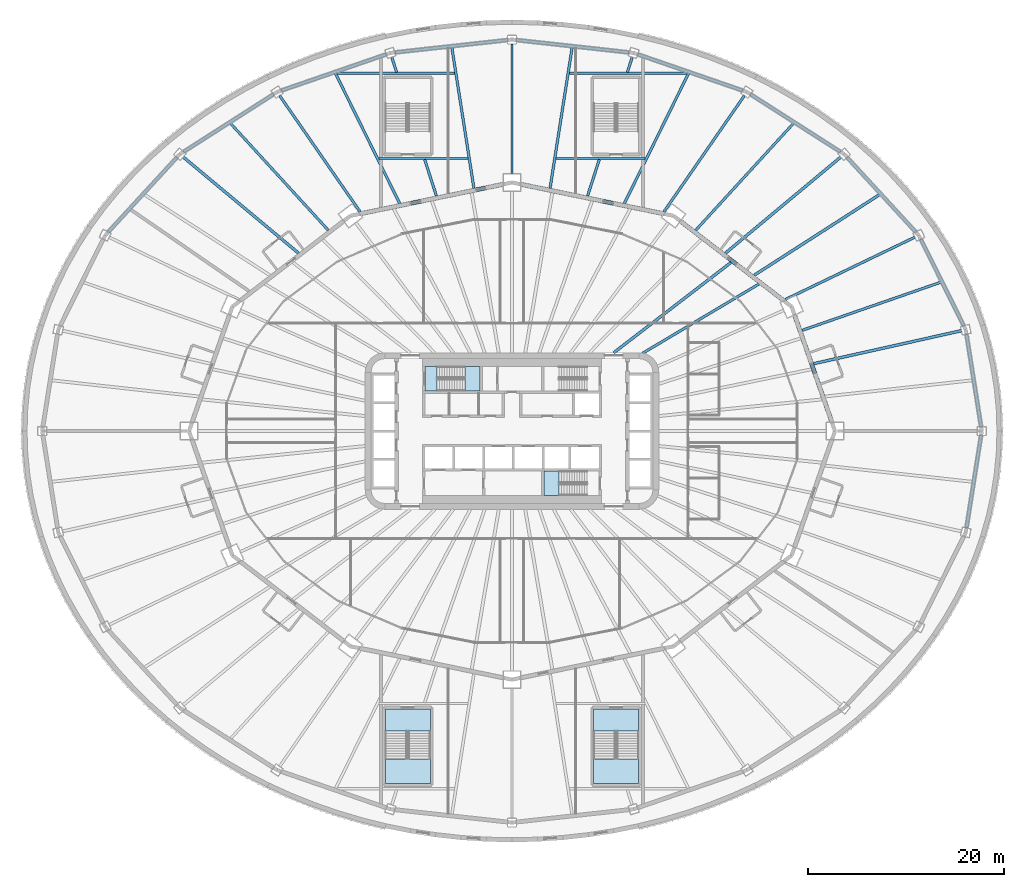
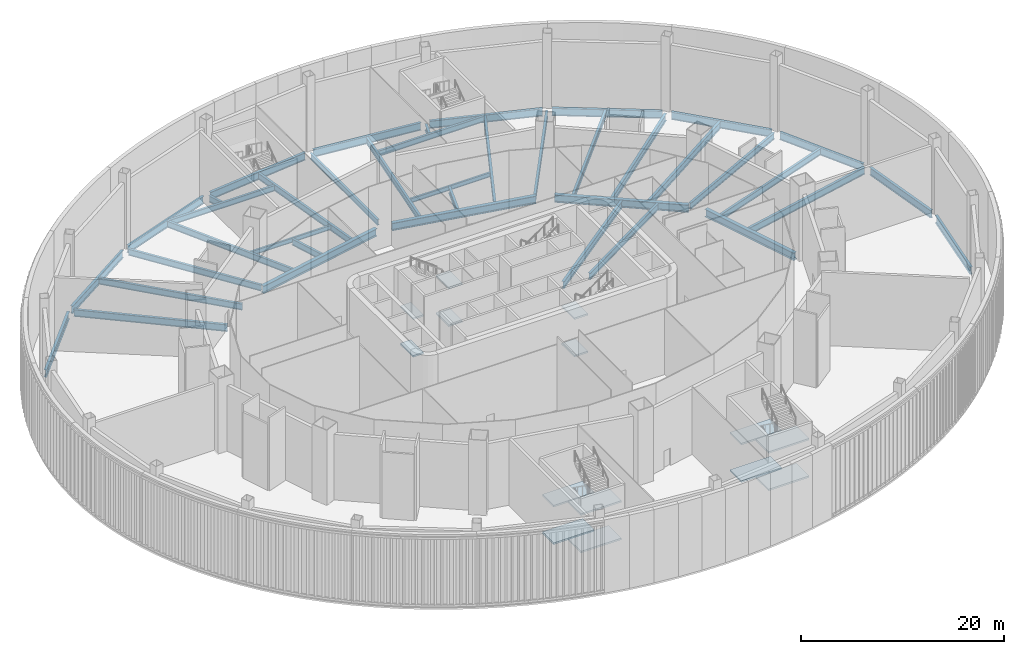
# One storey, part 3 of 35: 40 beams, 14 slabs, 4 elements without a shape of their own.
"""IFC4 building model written with IfcOpenShell, lengths in metres."""

from ifc_helpers import new_model, si_unit, direction, frame, origin, origin_2d, place, context, subcontext, project, spatial, polyline, i_section, outline, extrude, material, layer, layer_set, material_profile, profile_set, type_object, element, aggregate, save


model = new_model("IFC4")

# Units and contexts
model_context = context("Model", 3, precision=1e-05, world=origin(), true_north=direction((0.0, 1.0)))
body_context = subcontext(model_context, "Body", "Model", "MODEL_VIEW")
ifc_project = project(units=[si_unit("LENGTHUNIT", "METRE"), si_unit("AREAUNIT", "SQUARE_METRE"), si_unit("VOLUMEUNIT", "CUBIC_METRE"), si_unit("PLANEANGLEUNIT", "RADIAN"), si_unit("MASSUNIT", "GRAM", prefix="KILO")], contexts=[model_context])

# Site, building, storey
site_placement = place(None, origin())
site = spatial("IfcSite", under=ifc_project, at=site_placement, CompositionType="ELEMENT")
building_placement = place(site_placement, origin())
building = spatial("IfcBuilding", under=site, at=building_placement, Name="Sahrelin Media Tower", CompositionType="ELEMENT")
storey_placement = place(building_placement, frame((0.0, 0.0, 17.0)))
storey = spatial("IfcBuildingStorey", under=building, at=storey_placement, Name="L02", CompositionType="ELEMENT", Elevation=17.0)

# Beams
ifc_material_1 = material(Name="Steel S355", Category="steel")
ifc_material_profile_1 = material_profile(ifc_material_1, i_section(OverallWidth=0.208740234375, OverallDepth=0.5283203125, WebThickness=0.009521484375, FlangeThickness=0.01318359375, FilletRadius=0.0126953125, at=origin_2d()), Name="UB 533x210x82")
ifc_profile_set_1 = profile_set([ifc_material_profile_1], Name="Steel S355")
beam_type_1 = type_object("IfcBeamType", Name="Header beam HB6", PredefinedType="BEAM", material=ifc_profile_set_1)
for number, where, z_axis, x_axis, name in (
    (1, (13.59814453125, 27.85009765625, -0.464111328125), (-1.0, 0.0, 0.0), (0.0, -1.0, 0.0), "Header beam L02-01"),
    (2, (-4.50146484375, 27.85009765625, -0.464111328125), (-1.0, 0.0, 0.0), (0.0, -1.0, 0.0), "Header beam L02-03"),
):
    element("IfcBeam", number, at=place(storey_placement, frame(where, z_axis=z_axis, x_axis=x_axis)), inside=storey, type_object=beam_type_1, Name=name, PredefinedType="BEAM", context=body_context, shape_type="SweptSolid", body=[
        extrude(i_section(OverallWidth=0.208740234375, OverallDepth=0.5283203125, WebThickness=0.009521484375, FlangeThickness=0.01318359375, FilletRadius=0.0126953125, at=origin_2d()), origin(), (0.0, 0.0, 1.0), 9.0966796875),
    ])
ifc_material_profile_2 = material_profile(ifc_material_1, i_section(OverallWidth=0.2529296875, OverallDepth=0.677978515625, WebThickness=0.01171875, FlangeThickness=0.01611328125, FilletRadius=0.01513671875, at=origin_2d()), Name="UB 686x254x125")
ifc_profile_set_2 = profile_set([ifc_material_profile_2], Name="Steel S355")
beam_type_2 = type_object("IfcBeamType", Name="Header beam HB8", PredefinedType="BEAM", material=ifc_profile_set_2)
for number, where, z_axis, x_axis, name in (
    (3, (5.86572265625, 36.550048828125, -0.538818359375), (1.0, 0.0, 0.0), (0.0, 1.0, 0.0), "Header beam L02-02"),
    (4, (-17.892333984375, 36.550048828125, -0.538818359375), (1.0, 0.0, 0.0), (0.0, 1.0, 0.0), "Header beam L02-04"),
):
    element("IfcBeam", number, at=place(storey_placement, frame(where, z_axis=z_axis, x_axis=x_axis)), inside=storey, type_object=beam_type_2, Name=name, PredefinedType="BEAM", context=body_context, shape_type="SweptSolid", body=[
        extrude(i_section(OverallWidth=0.2529296875, OverallDepth=0.677978515625, WebThickness=0.01171875, FlangeThickness=0.01611328125, FilletRadius=0.01513671875, at=origin_2d()), origin(), (0.0, 0.0, 1.0), 12.026611328125),
    ])
ifc_material_profile_3 = material_profile(ifc_material_1, i_section(OverallWidth=0.30322265625, OverallDepth=0.903076171875, WebThickness=0.01513671875, FlangeThickness=0.020263671875, FilletRadius=0.01904296875, at=origin_2d()), Name="UB 914x305x201")
ifc_profile_set_3 = profile_set([ifc_material_profile_3], Name="Steel S355")
beam_type_3 = type_object("IfcBeamType", Name="Podium edge girder PE11", PredefinedType="BEAM", material=ifc_profile_set_3)
beam_1_placement = place(storey_placement, frame((47.928955078125, 0.449951171875, -0.651611328125), z_axis=(-0.156048991104, 0.987749316565, 0.0), x_axis=(-0.987749316565, -0.156048991104, 0.0)))
element("IfcBeam", 5, at=beam_1_placement, inside=storey, type_object=beam_type_3, Name="Podium edge girder L02-01", PredefinedType="BEAM", context=body_context, shape_type="SweptSolid", body=[
    extrude(i_section(OverallWidth=0.30322265625, OverallDepth=0.903076171875, WebThickness=0.01513671875, FlangeThickness=0.020263671875, FilletRadius=0.01904296875, at=origin_2d()), origin(), (0.0, 0.0, 1.0), 9.57470703125),
])
beam_2_placement = place(storey_placement, frame((46.158203125, 10.767822265625, -0.651611328125), z_axis=(-0.445112588569, 0.895474613541, 0.0), x_axis=(-0.895474613541, -0.445112588569, 0.0)))
element("IfcBeam", 6, at=beam_2_placement, inside=storey, type_object=beam_type_3, Name="Podium edge girder L02-02", PredefinedType="BEAM", context=body_context, shape_type="SweptSolid", body=[
    extrude(i_section(OverallWidth=0.30322265625, OverallDepth=0.903076171875, WebThickness=0.01513671875, FlangeThickness=0.020263671875, FilletRadius=0.01904296875, at=origin_2d()), origin(), (0.0, 0.0, 1.0), 9.859619140625),
])
beam_3_placement = place(storey_placement, frame((41.25048828125, 20.34619140625, -0.651611328125), z_axis=(-0.677370529771, 0.735642008995, 0.0), x_axis=(-0.735642008995, -0.677370529771, 0.0)))
element("IfcBeam", 7, at=beam_3_placement, inside=storey, type_object=beam_type_3, Name="Podium edge girder L02-03", PredefinedType="BEAM", context=body_context, shape_type="SweptSolid", body=[
    extrude(i_section(OverallWidth=0.30322265625, OverallDepth=0.903076171875, WebThickness=0.01513671875, FlangeThickness=0.020263671875, FilletRadius=0.01904296875, at=origin_2d()), origin(), (0.0, 0.0, 1.0), 10.340087890625),
])
beam_4_placement = place(storey_placement, frame((33.54345703125, 28.53857421875, -0.651611328125), z_axis=(-0.842485743715, 0.538718638657, 0.0), x_axis=(-0.538718638657, -0.842485743715, 0.0)))
element("IfcBeam", 8, at=beam_4_placement, inside=storey, type_object=beam_type_3, Name="Podium edge girder L02-04", PredefinedType="BEAM", context=body_context, shape_type="SweptSolid", body=[
    extrude(i_section(OverallWidth=0.30322265625, OverallDepth=0.903076171875, WebThickness=0.01513671875, FlangeThickness=0.020263671875, FilletRadius=0.01904296875, at=origin_2d()), origin(), (0.0, 0.0, 1.0), 10.87744140625),
])
beam_5_placement = place(storey_placement, frame((23.55810546875, 34.79345703125, -0.651611328125), z_axis=(-0.94527240249, 0.32628221694, 0.0), x_axis=(-0.32628221694, -0.94527240249, 0.0)))
element("IfcBeam", 9, at=beam_5_placement, inside=storey, type_object=beam_type_3, Name="Podium edge girder L02-05", PredefinedType="BEAM", context=body_context, shape_type="SweptSolid", body=[
    extrude(i_section(OverallWidth=0.30322265625, OverallDepth=0.903076171875, WebThickness=0.01513671875, FlangeThickness=0.020263671875, FilletRadius=0.01904296875, at=origin_2d()), origin(), (0.0, 0.0, 1.0), 11.329345703125),
])
for number, where, z_axis, x_axis, name in (
    (10, (11.966796875, 38.68701171875, -0.651611328125), (-0.994034160473, 0.109069188193, 0.0), (-0.109069188193, -0.994034160473, 0.0), "Podium edge girder L02-06"),
    (11, (-0.449951171875, 39.95068359375, -0.651611328125), (-0.994034160473, -0.109069188193, 0.0), (0.109069188193, -0.994034160473, 0.0), "Podium edge girder L02-07"),
):
    element("IfcBeam", number, at=place(storey_placement, frame(where, z_axis=z_axis, x_axis=x_axis)), inside=storey, type_object=beam_type_3, Name=name, PredefinedType="BEAM", context=body_context, shape_type="SweptSolid", body=[
        extrude(i_section(OverallWidth=0.30322265625, OverallDepth=0.903076171875, WebThickness=0.01513671875, FlangeThickness=0.020263671875, FilletRadius=0.01904296875, at=origin_2d()), origin(), (0.0, 0.0, 1.0), 11.5859375),
    ])
beam_6_placement = place(storey_placement, frame((-12.848876953125, 38.489990234375, -0.651611328125), z_axis=(-0.94527240249, -0.32628221694, 0.0), x_axis=(0.32628221694, -0.94527240249, 0.0)))
element("IfcBeam", 12, at=beam_6_placement, inside=storey, type_object=beam_type_3, Name="Podium edge girder L02-08", PredefinedType="BEAM", context=body_context, shape_type="SweptSolid", body=[
    extrude(i_section(OverallWidth=0.30322265625, OverallDepth=0.903076171875, WebThickness=0.01513671875, FlangeThickness=0.020263671875, FilletRadius=0.01904296875, at=origin_2d()), origin(), (0.0, 0.0, 1.0), 11.329345703125),
])
beam_7_placement = place(storey_placement, frame((-24.37939453125, 34.3984375, -0.651611328125), z_axis=(-0.842485743715, -0.538718638657, 0.0), x_axis=(0.538718638657, -0.842485743715, 0.0)))
element("IfcBeam", 13, at=beam_7_placement, inside=storey, type_object=beam_type_3, Name="Podium edge girder L02-09", PredefinedType="BEAM", context=body_context, shape_type="SweptSolid", body=[
    extrude(i_section(OverallWidth=0.30322265625, OverallDepth=0.903076171875, WebThickness=0.01513671875, FlangeThickness=0.020263671875, FilletRadius=0.01904296875, at=origin_2d()), origin(), (0.0, 0.0, 1.0), 10.87744140625),
])
beam_8_placement = place(storey_placement, frame((-34.246337890625, 27.952880859375, -0.651611328125), z_axis=(-0.677370529771, -0.735642008995, 0.0), x_axis=(0.735642008995, -0.677370529771, 0.0)))
element("IfcBeam", 14, at=beam_8_placement, inside=storey, type_object=beam_type_3, Name="Podium edge girder L02-10", PredefinedType="BEAM", context=body_context, shape_type="SweptSolid", body=[
    extrude(i_section(OverallWidth=0.30322265625, OverallDepth=0.903076171875, WebThickness=0.01513671875, FlangeThickness=0.020263671875, FilletRadius=0.01904296875, at=origin_2d()), origin(), (0.0, 0.0, 1.0), 10.340087890625),
])
beam_9_placement = place(storey_placement, frame((46.434814453125, -9.907470703125, -0.651611328125), z_axis=(0.156048991104, 0.987749316565, 0.0), x_axis=(-0.987749316565, 0.156048991104, 0.0)))
element("IfcBeam", 15, at=beam_9_placement, inside=storey, type_object=beam_type_3, Name="Podium edge girder L02-24", PredefinedType="BEAM", context=body_context, shape_type="SweptSolid", body=[
    extrude(i_section(OverallWidth=0.30322265625, OverallDepth=0.903076171875, WebThickness=0.01513671875, FlangeThickness=0.020263671875, FilletRadius=0.01904296875, at=origin_2d()), origin(), (0.0, 0.0, 1.0), 9.57470703125),
])
ifc_material_profile_4 = material_profile(ifc_material_1, i_section(OverallWidth=0.41845703125, OverallDepth=0.911865234375, WebThickness=0.019287109375, FlangeThickness=0.031982421875, FilletRadius=0.024169921875, at=origin_2d()), Name="UB 914x419x343")
ifc_profile_set_4 = profile_set([ifc_material_profile_4], Name="Steel S355")
beam_type_4 = type_object("IfcBeamType", Name="Podium ring girder PG12", PredefinedType="BEAM", material=ifc_profile_set_4)
beam_10_placement = place(storey_placement, frame((32.686767578125, 0.89990234375, -0.656005859375), z_axis=(-0.328773851324, 0.944408679908, 0.0), x_axis=(-0.944408679908, -0.328773851324, 0.0)))
element("IfcBeam", 16, at=beam_10_placement, inside=storey, type_object=beam_type_4, Name="Podium girder L02-01", PredefinedType="BEAM", context=body_context, shape_type="SweptSolid", body=[
    extrude(i_section(OverallWidth=0.41845703125, OverallDepth=0.911865234375, WebThickness=0.019287109375, FlangeThickness=0.031982421875, FilletRadius=0.024169921875, at=origin_2d()), origin(), (0.0, 0.0, 1.0), 11.591552734375),
])
beam_11_placement = place(storey_placement, frame((27.767578125, 13.324462890625, -0.656005859375), z_axis=(-0.792445416108, 0.609942835428, 0.0), x_axis=(-0.609942835428, -0.792445416108, 0.0)))
element("IfcBeam", 17, at=beam_11_placement, inside=storey, type_object=beam_type_4, Name="Podium girder L02-02", PredefinedType="BEAM", context=body_context, shape_type="SweptSolid", body=[
    extrude(i_section(OverallWidth=0.41845703125, OverallDepth=0.911865234375, WebThickness=0.019287109375, FlangeThickness=0.031982421875, FilletRadius=0.024169921875, at=origin_2d()), origin(), (0.0, 0.0, 1.0), 13.318603515625),
])
for number, where, z_axis, x_axis, name in (
    (18, (15.525634765625, 22.197998046875, -0.656005859375), (-0.979388513106, 0.201985495508, 0.0), (-0.201985495508, -0.979388513106, 0.0), "Podium girder L02-03"),
    (19, (-0.89990234375, 25.21435546875, -0.656005859375), (-0.979388513106, -0.201985495508, 0.0), (0.201985495508, -0.979388513106, 0.0), "Podium girder L02-04"),
):
    element("IfcBeam", number, at=place(storey_placement, frame(where, z_axis=z_axis, x_axis=x_axis)), inside=storey, type_object=beam_type_4, Name=name, PredefinedType="BEAM", context=body_context, shape_type="SweptSolid", body=[
        extrude(i_section(OverallWidth=0.41845703125, OverallDepth=0.911865234375, WebThickness=0.019287109375, FlangeThickness=0.031982421875, FilletRadius=0.024169921875, at=origin_2d()), origin(), (0.0, 0.0, 1.0), 14.93359375),
    ])
ifc_material_profile_5 = material_profile(ifc_material_1, i_section(OverallWidth=0.291748046875, OverallDepth=0.8349609375, WebThickness=0.013916015625, FlangeThickness=0.018798828125, FilletRadius=0.017822265625, at=origin_2d()), Name="UB 838x292x176")
ifc_profile_set_5 = profile_set([ifc_material_profile_5], Name="Steel S355")
beam_type_5 = type_object("IfcBeamType", Name="Radial primary beam PB10", PredefinedType="BEAM", material=ifc_profile_set_5)
beam_12_placement = place(storey_placement, frame((10.393798828125, 8.0, -0.617431640625), z_axis=(0.79244196099, 0.609947324335, 0.0), x_axis=(-0.609947324335, 0.79244196099, 0.0)))
element("IfcBeam", 20, at=beam_12_placement, inside=storey, type_object=beam_type_5, Name="Radial beam L02-04", PredefinedType="BEAM", context=body_context, shape_type="SweptSolid", body=[
    extrude(i_section(OverallWidth=0.291748046875, OverallDepth=0.8349609375, WebThickness=0.013916015625, FlangeThickness=0.018798828125, FilletRadius=0.017822265625, at=origin_2d()), origin(), (0.0, 0.0, 1.0), 15.1103515625),
])
beam_13_placement = place(storey_placement, frame((30.825439453125, 6.883056640625, -0.617431640625), z_axis=(0.975966755314, 0.217919463385, 0.0), x_axis=(-0.217919463385, 0.975966755314, 0.0)))
element("IfcBeam", 21, at=beam_13_placement, inside=storey, type_object=beam_type_5, Name="Radial beam L02-02", PredefinedType="BEAM", context=body_context, shape_type="SweptSolid", body=[
    extrude(i_section(OverallWidth=0.291748046875, OverallDepth=0.8349609375, WebThickness=0.013916015625, FlangeThickness=0.018798828125, FilletRadius=0.017822265625, at=origin_2d()), origin(), (0.0, 0.0, 1.0), 15.4716796875),
])
for number, where, z_axis, x_axis, name in (
    (22, (21.809326171875, 18.174560546875, -0.617431640625), (0.768229105739, 0.640175008178, 0.0), (-0.640175008178, 0.768229105739, 0.0), "Radial beam L02-04"),
    (23, (-21.809326171875, 18.174560546875, -0.617431640625), (-0.768229105739, 0.640175008178, 0.0), (-0.640175008178, -0.768229105739, 0.0), "Radial beam L02-12"),
):
    element("IfcBeam", number, at=place(storey_placement, frame(where, z_axis=z_axis, x_axis=x_axis)), inside=storey, type_object=beam_type_5, Name=name, PredefinedType="BEAM", context=body_context, shape_type="SweptSolid", body=[
        extrude(i_section(OverallWidth=0.291748046875, OverallDepth=0.8349609375, WebThickness=0.013916015625, FlangeThickness=0.018798828125, FilletRadius=0.017822265625, at=origin_2d()), origin(), (0.0, 0.0, 1.0), 15.342041015625),
    ])
ifc_material_profile_6 = material_profile(ifc_material_1, i_section(OverallWidth=0.2529296875, OverallDepth=0.677978515625, WebThickness=0.01171875, FlangeThickness=0.01611328125, FilletRadius=0.01513671875, at=origin_2d()), Name="UB 686x254x125")
ifc_profile_set_6 = profile_set([ifc_material_profile_6], Name="Steel S355")
beam_type_6 = type_object("IfcBeamType", Name="Radial primary beam PB8", PredefinedType="BEAM", material=ifc_profile_set_6)
beam_14_placement = place(storey_placement, frame((0.0, 26.300048828125, -0.538818359375), z_axis=(0.0, 1.0, 0.0), x_axis=(-1.0, 0.0, 0.0)))
element("IfcBeam", 24, at=beam_14_placement, inside=storey, type_object=beam_type_6, Name="Radial beam L02-08", PredefinedType="BEAM", context=body_context, shape_type="SweptSolid", body=[
    extrude(i_section(OverallWidth=0.2529296875, OverallDepth=0.677978515625, WebThickness=0.01171875, FlangeThickness=0.01611328125, FilletRadius=0.01513671875, at=origin_2d()), origin(), (0.0, 0.0, 1.0), 13.25),
])
ifc_material_profile_7 = material_profile(ifc_material_1, i_section(OverallWidth=0.26513671875, OverallDepth=0.75390625, WebThickness=0.0126953125, FlangeThickness=0.017578125, FilletRadius=0.0166015625, at=origin_2d()), Name="UB 762x267x147")
ifc_profile_set_7 = profile_set([ifc_material_profile_7], Name="Steel S355")
beam_type_7 = type_object("IfcBeamType", Name="Radial primary beam PB9", PredefinedType="BEAM", material=ifc_profile_set_7)
beam_15_placement = place(storey_placement, frame((27.950439453125, 13.44775390625, -0.576904296875), z_axis=(0.901130102072, 0.433548773657, 0.0), x_axis=(-0.433548773657, 0.901130102072, 0.0)))
element("IfcBeam", 25, at=beam_15_placement, inside=storey, type_object=beam_type_7, Name="Radial beam L02-03", PredefinedType="BEAM", context=body_context, shape_type="SweptSolid", body=[
    extrude(i_section(OverallWidth=0.26513671875, OverallDepth=0.75390625, WebThickness=0.0126953125, FlangeThickness=0.017578125, FilletRadius=0.0166015625, at=origin_2d()), origin(), (0.0, 0.0, 1.0), 14.6630859375),
])
beam_16_placement = place(storey_placement, frame((15.527099609375, 22.411376953125, -0.576904296875), z_axis=(0.569493278726, 0.821995988729, 0.0), x_axis=(-0.821995988729, 0.569493278726, 0.0)))
element("IfcBeam", 26, at=beam_16_placement, inside=storey, type_object=beam_type_7, Name="Radial beam L02-05", PredefinedType="BEAM", context=body_context, shape_type="SweptSolid", body=[
    extrude(i_section(OverallWidth=0.26513671875, OverallDepth=0.75390625, WebThickness=0.0126953125, FlangeThickness=0.017578125, FilletRadius=0.0166015625, at=origin_2d()), origin(), (0.0, 0.0, 1.0), 14.427734375),
])
beam_17_placement = place(storey_placement, frame((7.7236328125, 24.020751953125, -0.576904296875), z_axis=(0.30607575523, 0.952007159669, 0.0), x_axis=(-0.952007159669, 0.30607575523, 0.0)))
element("IfcBeam", 27, at=beam_17_placement, inside=storey, type_object=beam_type_7, Name="Radial beam L02-06", PredefinedType="BEAM", context=body_context, shape_type="SweptSolid", body=[
    extrude(i_section(OverallWidth=0.26513671875, OverallDepth=0.75390625, WebThickness=0.0126953125, FlangeThickness=0.017578125, FilletRadius=0.0166015625, at=origin_2d()), origin(), (0.0, 0.0, 1.0), 3.917236328125),
])
beam_18_placement = place(storey_placement, frame((11.784423828125, 36.64990234375, -0.576904296875), z_axis=(0.306144333921, 0.951985108501, 0.0), x_axis=(-0.951985108501, 0.306144333921, 0.0)))
element("IfcBeam", 28, at=beam_18_placement, inside=storey, type_object=beam_type_7, Name="Radial beam L02-07", PredefinedType="BEAM", context=body_context, shape_type="SweptSolid", body=[
    extrude(i_section(OverallWidth=0.26513671875, OverallDepth=0.75390625, WebThickness=0.0126953125, FlangeThickness=0.017578125, FilletRadius=0.0166015625, at=origin_2d()), origin(), (0.0, 0.0, 1.0), 1.63720703125),
])
beam_19_placement = place(storey_placement, frame((-7.7236328125, 24.020751953125, -0.576904296875), z_axis=(-0.30607575523, 0.952007159669, 0.0), x_axis=(-0.952007159669, -0.30607575523, 0.0)))
element("IfcBeam", 29, at=beam_19_placement, inside=storey, type_object=beam_type_7, Name="Radial beam L02-09", PredefinedType="BEAM", context=body_context, shape_type="SweptSolid", body=[
    extrude(i_section(OverallWidth=0.26513671875, OverallDepth=0.75390625, WebThickness=0.0126953125, FlangeThickness=0.017578125, FilletRadius=0.0166015625, at=origin_2d()), origin(), (0.0, 0.0, 1.0), 3.917236328125),
])
beam_20_placement = place(storey_placement, frame((-11.784423828125, 36.64990234375, -0.576904296875), z_axis=(-0.306144333921, 0.951985108501, 0.0), x_axis=(-0.951985108501, -0.306144333921, 0.0)))
element("IfcBeam", 30, at=beam_20_placement, inside=storey, type_object=beam_type_7, Name="Radial beam L02-10", PredefinedType="BEAM", context=body_context, shape_type="SweptSolid", body=[
    extrude(i_section(OverallWidth=0.26513671875, OverallDepth=0.75390625, WebThickness=0.0126953125, FlangeThickness=0.017578125, FilletRadius=0.0166015625, at=origin_2d()), origin(), (0.0, 0.0, 1.0), 1.63720703125),
])
beam_21_placement = place(storey_placement, frame((-15.527099609375, 22.411376953125, -0.576904296875), z_axis=(-0.569493278726, 0.821995988729, 0.0), x_axis=(-0.821995988729, -0.569493278726, 0.0)))
element("IfcBeam", 31, at=beam_21_placement, inside=storey, type_object=beam_type_7, Name="Radial beam L02-11", PredefinedType="BEAM", context=body_context, shape_type="SweptSolid", body=[
    extrude(i_section(OverallWidth=0.26513671875, OverallDepth=0.75390625, WebThickness=0.0126953125, FlangeThickness=0.017578125, FilletRadius=0.0166015625, at=origin_2d()), origin(), (0.0, 0.0, 1.0), 14.427734375),
])
ifc_material_profile_8 = material_profile(ifc_material_1, i_section(OverallWidth=0.291748046875, OverallDepth=0.8349609375, WebThickness=0.013916015625, FlangeThickness=0.018798828125, FilletRadius=0.017822265625, at=origin_2d()), Name="UB 838x292x176")
ifc_profile_set_8 = profile_set([ifc_material_profile_8], Name="Steel S355")
beam_type_8 = type_object("IfcBeamType", Name="Radial secondary beam SB10", PredefinedType="BEAM", material=ifc_profile_set_8)
beam_22_placement = place(storey_placement, frame((24.744140625, 15.91552734375, -0.617431640625), z_axis=(0.84104292767, 0.540968385228, 0.0), x_axis=(-0.540968385228, 0.84104292767, 0.0)))
element("IfcBeam", 32, at=beam_22_placement, inside=storey, type_object=beam_type_8, Name="Secondary beam L02-03", PredefinedType="BEAM", context=body_context, shape_type="SweptSolid", body=[
    extrude(i_section(OverallWidth=0.291748046875, OverallDepth=0.8349609375, WebThickness=0.013916015625, FlangeThickness=0.018798828125, FilletRadius=0.017822265625, at=origin_2d()), origin(), (0.0, 0.0, 1.0), 15.218505859375),
])
ifc_material_profile_9 = material_profile(ifc_material_1, i_section(OverallWidth=0.26513671875, OverallDepth=0.75390625, WebThickness=0.0126953125, FlangeThickness=0.017578125, FilletRadius=0.0166015625, at=origin_2d()), Name="UB 762x267x147")
ifc_profile_set_9 = profile_set([ifc_material_profile_9], Name="Steel S355")
beam_type_9 = type_object("IfcBeamType", Name="Radial secondary beam SB9", PredefinedType="BEAM", material=ifc_profile_set_9)
beam_23_placement = place(storey_placement, frame((13.356201171875, 7.953125, -0.576904296875), z_axis=(0.859199265621, 0.511641106594, 0.0), x_axis=(-0.511641106594, 0.859199265621, 0.0)))
element("IfcBeam", 33, at=beam_23_placement, inside=storey, type_object=beam_type_9, Name="Secondary beam L02-03", PredefinedType="BEAM", context=body_context, shape_type="SweptSolid", body=[
    extrude(i_section(OverallWidth=0.26513671875, OverallDepth=0.75390625, WebThickness=0.0126953125, FlangeThickness=0.017578125, FilletRadius=0.0166015625, at=origin_2d()), origin(), (0.0, 0.0, 1.0), 13.810791015625),
])
beam_24_placement = place(storey_placement, frame((29.640380859375, 10.287109375, -0.576904296875), z_axis=(0.944713020182, 0.32789832189, 0.0), x_axis=(-0.32789832189, 0.944713020182, 0.0)))
element("IfcBeam", 34, at=beam_24_placement, inside=storey, type_object=beam_type_9, Name="Secondary beam L02-02", PredefinedType="BEAM", context=body_context, shape_type="SweptSolid", body=[
    extrude(i_section(OverallWidth=0.26513671875, OverallDepth=0.75390625, WebThickness=0.0126953125, FlangeThickness=0.017578125, FilletRadius=0.0166015625, at=origin_2d()), origin(), (0.0, 0.0, 1.0), 14.974609375),
])
beam_25_placement = place(storey_placement, frame((18.7685546875, 20.514892578125, -0.576904296875), z_axis=(0.675004282666, 0.737813810106, 0.0), x_axis=(-0.737813810106, 0.675004282666, 0.0)))
element("IfcBeam", 35, at=beam_25_placement, inside=storey, type_object=beam_type_9, Name="Secondary beam L02-04", PredefinedType="BEAM", context=body_context, shape_type="SweptSolid", body=[
    extrude(i_section(OverallWidth=0.26513671875, OverallDepth=0.75390625, WebThickness=0.0126953125, FlangeThickness=0.017578125, FilletRadius=0.0166015625, at=origin_2d()), origin(), (0.0, 0.0, 1.0), 14.7861328125),
])
beam_26_placement = place(storey_placement, frame((11.47412109375, 23.247314453125, -0.576904296875), z_axis=(0.442602611298, 0.896717864477, 0.0), x_axis=(-0.896717864477, 0.442602611298, 0.0)))
element("IfcBeam", 36, at=beam_26_placement, inside=storey, type_object=beam_type_9, Name="Secondary beam L02-05", PredefinedType="BEAM", context=body_context, shape_type="SweptSolid", body=[
    extrude(i_section(OverallWidth=0.26513671875, OverallDepth=0.75390625, WebThickness=0.0126953125, FlangeThickness=0.017578125, FilletRadius=0.0166015625, at=origin_2d()), origin(), (0.0, 0.0, 1.0), 14.8232421875),
])
for number, where, z_axis, x_axis, name in (
    (37, (3.890869140625, 24.811279296875, -0.576904296875), (0.154919883605, 0.987927036609, 0.0), (-0.987927036609, 0.154919883605, 0.0), "Secondary beam L02-06"),
    (38, (-3.890869140625, 24.811279296875, -0.576904296875), (-0.154919883605, 0.987927036609, 0.0), (-0.987927036609, -0.154919883605, 0.0), "Secondary beam L02-07"),
):
    element("IfcBeam", number, at=place(storey_placement, frame(where, z_axis=z_axis, x_axis=x_axis)), inside=storey, type_object=beam_type_9, Name=name, PredefinedType="BEAM", context=body_context, shape_type="SweptSolid", body=[
        extrude(i_section(OverallWidth=0.26513671875, OverallDepth=0.75390625, WebThickness=0.0126953125, FlangeThickness=0.017578125, FilletRadius=0.0166015625, at=origin_2d()), origin(), (0.0, 0.0, 1.0), 14.537841796875),
    ])
beam_27_placement = place(storey_placement, frame((-11.47412109375, 23.247314453125, -0.576904296875), z_axis=(-0.442602611298, 0.896717864477, 0.0), x_axis=(-0.896717864477, -0.442602611298, 0.0)))
element("IfcBeam", 39, at=beam_27_placement, inside=storey, type_object=beam_type_9, Name="Secondary beam L02-08", PredefinedType="BEAM", context=body_context, shape_type="SweptSolid", body=[
    extrude(i_section(OverallWidth=0.26513671875, OverallDepth=0.75390625, WebThickness=0.0126953125, FlangeThickness=0.017578125, FilletRadius=0.0166015625, at=origin_2d()), origin(), (0.0, 0.0, 1.0), 14.8232421875),
])
beam_28_placement = place(storey_placement, frame((-18.7685546875, 20.514892578125, -0.576904296875), z_axis=(-0.675004282666, 0.737813810106, 0.0), x_axis=(-0.737813810106, -0.675004282666, 0.0)))
element("IfcBeam", 40, at=beam_28_placement, inside=storey, type_object=beam_type_9, Name="Secondary beam L02-09", PredefinedType="BEAM", context=body_context, shape_type="SweptSolid", body=[
    extrude(i_section(OverallWidth=0.26513671875, OverallDepth=0.75390625, WebThickness=0.0126953125, FlangeThickness=0.017578125, FilletRadius=0.0166015625, at=origin_2d()), origin(), (0.0, 0.0, 1.0), 14.7861328125),
])

# Stair, slabs
ifc_material_2 = material(Name="Concrete C40/50", Category="concrete")
stair_type_1 = type_object("IfcStairType", Name="Exit stair 1200", PredefinedType="HALF_TURN_STAIR", material=ifc_material_2)
placement_1 = place(storey_placement, origin())
stair_1 = element("IfcStair", 41, at=placement_1, inside=storey, type_object=stair_type_1, Name="L02 Exit stair ST1", PredefinedType="HALF_TURN_STAIR")
ifc_layer = layer(ifc_material_2, 0.199951171875)
ifc_layer_set = layer_set([ifc_layer], Name="Stair landing 200")
slab_type = type_object("IfcSlabType", Name="Stair landing 200", PredefinedType="LANDING", material=ifc_layer_set)
placement_2 = place(storey_placement, frame((0.0, 0.0, 2.050048828125)))
slab_1 = element("IfcSlab", 42, at=placement_2, type_object=slab_type, Name="ST1 landing 1", PredefinedType="LANDING", context=body_context, shape_type="SweptSolid", body=[
    extrude(outline(polyline([(-4.81494140625, 4.10009765625), (-3.27490234375, 4.10009765625), (-3.27490234375, 6.60009765625), (-4.81494140625, 6.60009765625), (-4.81494140625, 4.10009765625)])), origin(), (0.0, 0.0, 1.0), 0.199951171875),
])
placement_3 = place(storey_placement, frame((0.0, 0.0, 4.300048828125)))
slab_2 = element("IfcSlab", 43, at=placement_3, type_object=slab_type, Name="ST1 landing 2", PredefinedType="LANDING", context=body_context, shape_type="SweptSolid", body=[
    extrude(outline(polyline([(-8.875, 4.10009765625), (-7.675048828125, 4.10009765625), (-7.675048828125, 6.60009765625), (-8.875, 6.60009765625), (-8.875, 4.10009765625)])), origin(), (0.0, 0.0, 1.0), 0.199951171875),
])
placement_4 = place(storey_placement, frame((0.0, 0.0, 6.550048828125)))
slab_3 = element("IfcSlab", 44, at=placement_4, type_object=slab_type, Name="ST1 landing 3", PredefinedType="LANDING", context=body_context, shape_type="SweptSolid", body=[
    extrude(outline(polyline([(-4.81494140625, 4.10009765625), (-3.27490234375, 4.10009765625), (-3.27490234375, 6.60009765625), (-4.81494140625, 6.60009765625), (-4.81494140625, 4.10009765625)])), origin(), (0.0, 0.0, 1.0), 0.199951171875),
])
placement_5 = place(storey_placement, frame((0.0, 0.0, -0.199951171875)))
slab_4 = element("IfcSlab", 45, at=placement_5, type_object=slab_type, Name="ST1 landing 4", PredefinedType="LANDING", context=body_context, shape_type="SweptSolid", body=[
    extrude(outline(polyline([(-8.875, 4.10009765625), (-7.675048828125, 4.10009765625), (-7.675048828125, 6.60009765625), (-8.875, 6.60009765625), (-8.875, 4.10009765625)])), origin(), (0.0, 0.0, 1.0), 0.199951171875),
])
aggregate(stair_1, [slab_1, slab_2, slab_3, slab_4])

stair_2 = element("IfcStair", 46, at=placement_1, inside=storey, type_object=stair_type_1, Name="L02 Exit stair ST2", PredefinedType="HALF_TURN_STAIR")
slab_5 = element("IfcSlab", 47, at=placement_2, type_object=slab_type, Name="ST2 landing 1", PredefinedType="LANDING", context=body_context, shape_type="SweptSolid", body=[
    extrude(outline(polyline([(4.81494140625, -4.10009765625), (3.27490234375, -4.10009765625), (3.27490234375, -6.60009765625), (4.81494140625, -6.60009765625), (4.81494140625, -4.10009765625)])), origin(), (0.0, 0.0, 1.0), 0.199951171875),
])
slab_6 = element("IfcSlab", 48, at=placement_4, type_object=slab_type, Name="ST2 landing 3", PredefinedType="LANDING", context=body_context, shape_type="SweptSolid", body=[
    extrude(outline(polyline([(4.81494140625, -4.10009765625), (3.27490234375, -4.10009765625), (3.27490234375, -6.60009765625), (4.81494140625, -6.60009765625), (4.81494140625, -4.10009765625)])), origin(), (0.0, 0.0, 1.0), 0.199951171875),
])
aggregate(stair_2, [slab_5, slab_6])

stair_type_2 = type_object("IfcStairType", Name="Podium stair 2225", PredefinedType="HALF_TURN_STAIR", material=ifc_material_2)
stair_3 = element("IfcStair", 49, at=placement_1, inside=storey, type_object=stair_type_2, Name="L02 Podium stair PS3", PredefinedType="HALF_TURN_STAIR")
slab_7 = element("IfcSlab", 50, at=placement_2, type_object=slab_type, Name="PS3 landing 1", PredefinedType="LANDING", context=body_context, shape_type="SweptSolid", body=[
    extrude(outline(polyline([(-12.949951171875, -33.485107421875), (-12.949951171875, -36.0), (-8.35009765625, -36.0), (-8.35009765625, -33.485107421875), (-12.949951171875, -33.485107421875)])), origin(), (0.0, 0.0, 1.0), 0.199951171875),
])
slab_8 = element("IfcSlab", 51, at=placement_3, type_object=slab_type, Name="PS3 landing 2", PredefinedType="LANDING", context=body_context, shape_type="SweptSolid", body=[
    extrude(outline(polyline([(-12.949951171875, -28.39990234375), (-12.949951171875, -30.625), (-8.35009765625, -30.625), (-8.35009765625, -28.39990234375), (-12.949951171875, -28.39990234375)])), origin(), (0.0, 0.0, 1.0), 0.199951171875),
])
slab_9 = element("IfcSlab", 52, at=placement_4, type_object=slab_type, Name="PS3 landing 3", PredefinedType="LANDING", context=body_context, shape_type="SweptSolid", body=[
    extrude(outline(polyline([(-12.949951171875, -33.485107421875), (-12.949951171875, -36.0), (-8.35009765625, -36.0), (-8.35009765625, -33.485107421875), (-12.949951171875, -33.485107421875)])), origin(), (0.0, 0.0, 1.0), 0.199951171875),
])
slab_10 = element("IfcSlab", 53, at=placement_5, type_object=slab_type, Name="PS3 landing 4", PredefinedType="LANDING", context=body_context, shape_type="SweptSolid", body=[
    extrude(outline(polyline([(-12.949951171875, -28.39990234375), (-12.949951171875, -30.625), (-8.35009765625, -30.625), (-8.35009765625, -28.39990234375), (-12.949951171875, -28.39990234375)])), origin(), (0.0, 0.0, 1.0), 0.199951171875),
])
aggregate(stair_3, [slab_7, slab_8, slab_9, slab_10])

stair_4 = element("IfcStair", 54, at=placement_1, inside=storey, type_object=stair_type_2, Name="L02 Podium stair PS4", PredefinedType="HALF_TURN_STAIR")
slab_11 = element("IfcSlab", 55, at=placement_2, type_object=slab_type, Name="PS4 landing 1", PredefinedType="LANDING", context=body_context, shape_type="SweptSolid", body=[
    extrude(outline(polyline([(8.35009765625, -33.485107421875), (8.35009765625, -36.0), (12.949951171875, -36.0), (12.949951171875, -33.485107421875), (8.35009765625, -33.485107421875)])), origin(), (0.0, 0.0, 1.0), 0.199951171875),
])
slab_12 = element("IfcSlab", 56, at=placement_3, type_object=slab_type, Name="PS4 landing 2", PredefinedType="LANDING", context=body_context, shape_type="SweptSolid", body=[
    extrude(outline(polyline([(8.35009765625, -28.39990234375), (8.35009765625, -30.625), (12.949951171875, -30.625), (12.949951171875, -28.39990234375), (8.35009765625, -28.39990234375)])), origin(), (0.0, 0.0, 1.0), 0.199951171875),
])
slab_13 = element("IfcSlab", 57, at=placement_4, type_object=slab_type, Name="PS4 landing 3", PredefinedType="LANDING", context=body_context, shape_type="SweptSolid", body=[
    extrude(outline(polyline([(8.35009765625, -33.485107421875), (8.35009765625, -36.0), (12.949951171875, -36.0), (12.949951171875, -33.485107421875), (8.35009765625, -33.485107421875)])), origin(), (0.0, 0.0, 1.0), 0.199951171875),
])
slab_14 = element("IfcSlab", 58, at=placement_5, type_object=slab_type, Name="PS4 landing 4", PredefinedType="LANDING", context=body_context, shape_type="SweptSolid", body=[
    extrude(outline(polyline([(8.35009765625, -28.39990234375), (8.35009765625, -30.625), (12.949951171875, -30.625), (12.949951171875, -28.39990234375), (8.35009765625, -28.39990234375)])), origin(), (0.0, 0.0, 1.0), 0.199951171875),
])
aggregate(stair_4, [slab_11, slab_12, slab_13, slab_14])

save(model, "model.ifc")
